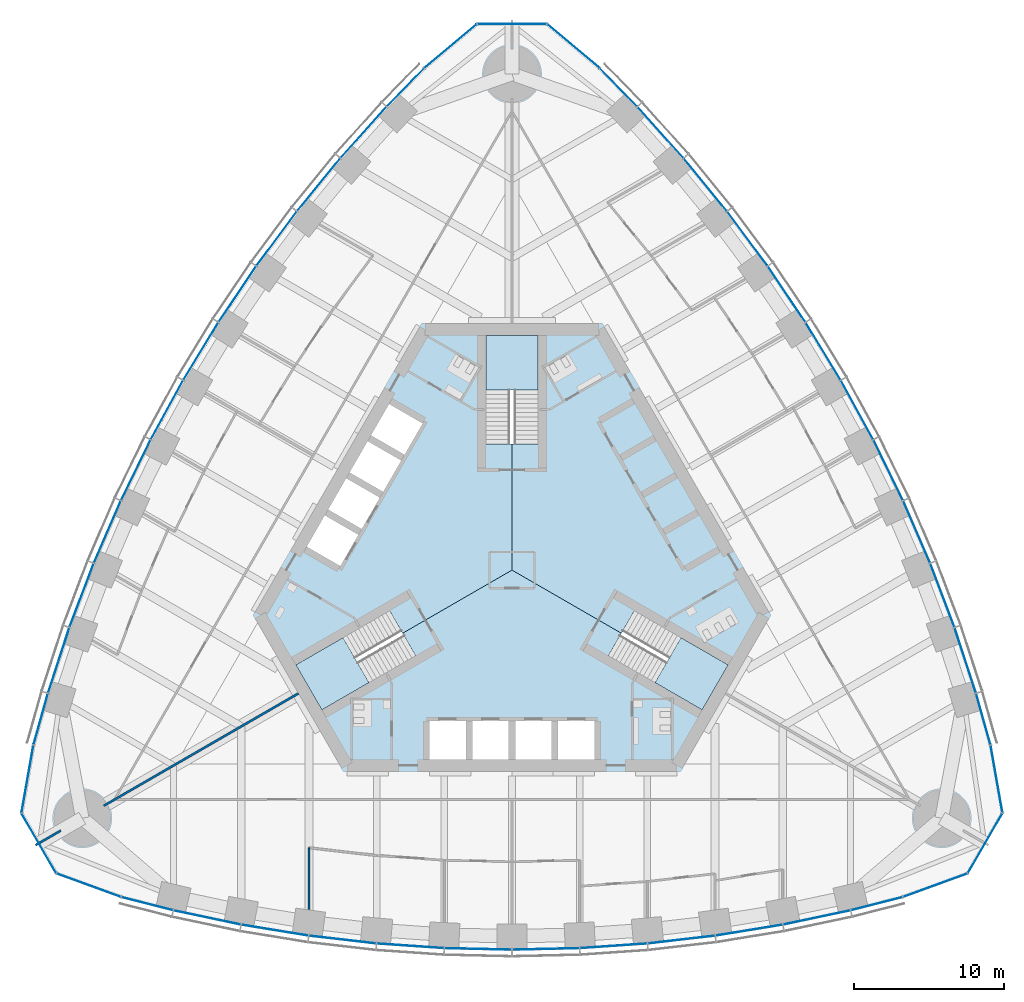
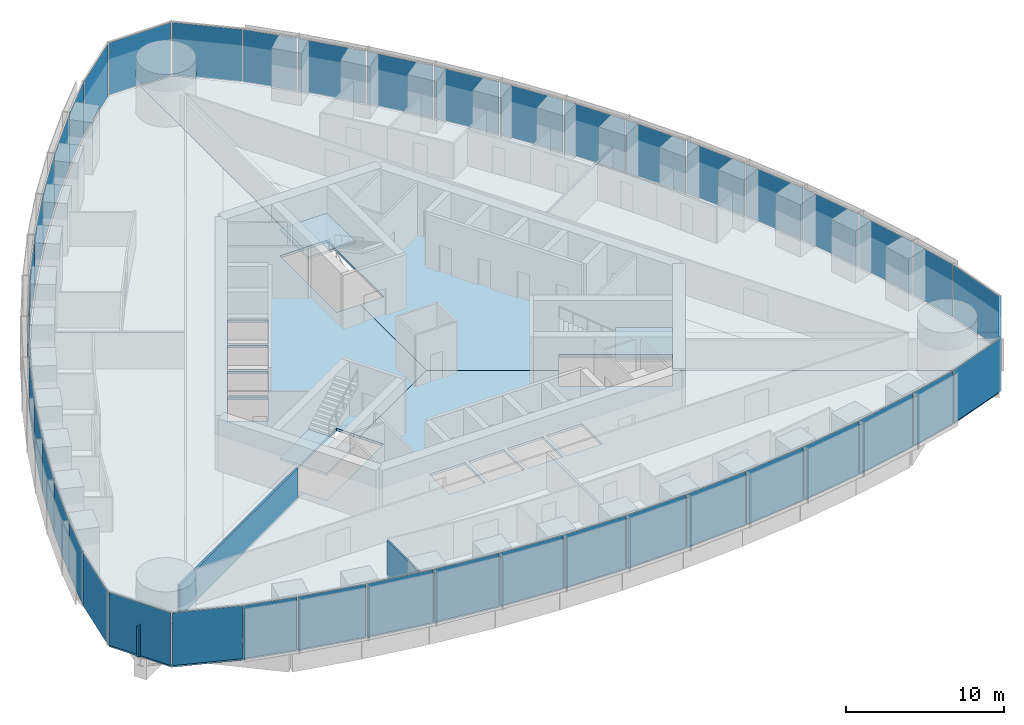
# One storey, part 10 of 19: 45 plates, 6 slabs, 3 walls, 9 elements without a shape of their own.
"""IFC4 building model written with IfcOpenShell, lengths in metres."""

from ifc_helpers import new_model, si_unit, direction, frame, frame_2d, origin, origin_2d, place, context, subcontext, project, spatial, polyline, rectangle, outline, extrude, material, layer, layer_set, type_object, element, aggregate, save


model = new_model("IFC4")

# Units and contexts
model_context = context("Model", 3, precision=1e-05, world=origin(), true_north=direction((0.0, 1.0)))
body_context = subcontext(model_context, "Body", "Model", "MODEL_VIEW")
ifc_project = project(units=[si_unit("LENGTHUNIT", "METRE"), si_unit("AREAUNIT", "SQUARE_METRE"), si_unit("VOLUMEUNIT", "CUBIC_METRE"), si_unit("PLANEANGLEUNIT", "RADIAN"), si_unit("MASSUNIT", "GRAM", prefix="KILO")], contexts=[model_context])

# Site, building, storey
site_placement = place(None, origin())
site = spatial("IfcSite", under=ifc_project, at=site_placement, CompositionType="ELEMENT")
building_placement = place(site_placement, origin())
building = spatial("IfcBuilding", under=site, at=building_placement, Name="Trefoil Bronze Tower", CompositionType="ELEMENT")
storey_placement = place(building_placement, frame((0.0, 0.0, 193.89990234375)))
storey = spatial("IfcBuildingStorey", under=building, at=storey_placement, Name="L44", CompositionType="ELEMENT", Elevation=193.89990234375)

# Curtain wall, plates
ifc_material_1 = material(Name="Tinted solar-control glass", Category="glass")
curtain_wall_type_1 = type_object("IfcCurtainWallType", Name="Bronze office curtain wall", PredefinedType="USERDEFINED", material=ifc_material_1)
curtain_wall_1_placement = place(storey_placement, origin())
curtain_wall_1 = element("IfcCurtainWall", 1, at=curtain_wall_1_placement, inside=storey, type_object=curtain_wall_type_1, Name="CW-A L44 F1", ObjectType="CURTAIN WALL", PredefinedType="USERDEFINED")
ifc_material_2 = material(Name="Tinted solar-control glass", Category="glass")
ifc_layer_1 = layer(ifc_material_2, 0.030029296875)
ifc_layer_set_1 = layer_set([ifc_layer_1], Name="Bronze office curtain wall glass panel")
plate_type_1 = type_object("IfcPlateType", Name="Bronze office curtain wall glass panel", PredefinedType="CURTAIN_PANEL", material=ifc_layer_set_1)
plate_1_placement = place(storey_placement, frame((-24.251220703125, -22.188232421875, 0.0), z_axis=(0.0, 0.0, 1.0), x_axis=(0.968934035393, -0.247319297786, 0.0)))
plate_1 = element("IfcPlate", 2, at=plate_1_placement, type_object=plate_type_1, Name="CW-A L44 F1 panel 1", PredefinedType="CURTAIN_PANEL", context=body_context, shape_type="SweptSolid", body=[
    extrude(rectangle(XDim=3.483642578125, YDim=0.030029296875, at=origin_2d()), origin(), (0.0, 0.0, 1.0), 4.080078125),
])
plate_2_placement = place(storey_placement, frame((-20.270751953125, -23.105224609375, 0.0), z_axis=(0.0, 0.0, 1.0), x_axis=(0.978394335897, -0.20674748725, 0.0)))
plate_2 = element("IfcPlate", 3, at=plate_2_placement, type_object=plate_type_1, Name="CW-A L44 F1 panel 2", PredefinedType="CURTAIN_PANEL", context=body_context, shape_type="SweptSolid", body=[
    extrude(rectangle(XDim=4.519287109375, YDim=0.030029296875, at=origin_2d()), origin(), (0.0, 0.0, 1.0), 4.080078125),
])
plate_3_placement = place(storey_placement, frame((-15.76611328125, -23.9482421875, 0.0), z_axis=(0.0, 0.0, 1.0), x_axis=(0.986986549528, -0.160802832848, 0.0)))
plate_3 = element("IfcPlate", 4, at=plate_3_placement, type_object=plate_type_1, Name="CW-A L44 F1 panel 3", PredefinedType="CURTAIN_PANEL", context=body_context, shape_type="SweptSolid", body=[
    extrude(rectangle(XDim=4.479248046875, YDim=0.030029296875, at=origin_2d()), origin(), (0.0, 0.0, 1.0), 4.080078125),
])
plate_4_placement = place(storey_placement, frame((-11.261474609375, -24.57568359375, 0.0), z_axis=(0.0, 0.0, 1.0), x_axis=(0.993381831741, -0.114858767043, 0.0)))
plate_4 = element("IfcPlate", 5, at=plate_4_placement, type_object=plate_type_1, Name="CW-A L44 F1 panel 4", PredefinedType="CURTAIN_PANEL", context=body_context, shape_type="SweptSolid", body=[
    extrude(rectangle(XDim=4.449951171875, YDim=0.030029296875, at=origin_2d()), origin(), (0.0, 0.0, 1.0), 4.080078125),
])
plate_5_placement = place(storey_placement, frame((-6.7568359375, -24.991455078125, 0.0), z_axis=(0.0, 0.0, 1.0), x_axis=(0.99762252804, -0.068915103905, 0.0)))
plate_5 = element("IfcPlate", 6, at=plate_5_placement, type_object=plate_type_1, Name="CW-A L44 F1 panel 5", PredefinedType="CURTAIN_PANEL", context=body_context, shape_type="SweptSolid", body=[
    extrude(rectangle(XDim=4.4306640625, YDim=0.030029296875, at=origin_2d()), origin(), (0.0, 0.0, 1.0), 4.080078125),
])
plate_6_placement = place(storey_placement, frame((-2.252197265625, -25.198974609375, 0.0), z_axis=(0.0, 0.0, 1.0), x_axis=(0.999736116243, -0.022971675577, 0.0)))
plate_6 = element("IfcPlate", 7, at=plate_6_placement, type_object=plate_type_1, Name="CW-A L44 F1 panel 6", PredefinedType="CURTAIN_PANEL", context=body_context, shape_type="SweptSolid", body=[
    extrude(rectangle(XDim=4.421142578125, YDim=0.030029296875, at=origin_2d()), origin(), (0.0, 0.0, 1.0), 4.080078125),
])
plate_7_placement = place(storey_placement, frame((2.252197265625, -25.198974609375, 0.0), z_axis=(0.0, 0.0, 1.0), x_axis=(0.999736116243, 0.022971675577, 0.0)))
plate_7 = element("IfcPlate", 8, at=plate_7_placement, type_object=plate_type_1, Name="CW-A L44 F1 panel 7", PredefinedType="CURTAIN_PANEL", context=body_context, shape_type="SweptSolid", body=[
    extrude(rectangle(XDim=4.421142578125, YDim=0.030029296875, at=origin_2d()), origin(), (0.0, 0.0, 1.0), 4.080078125),
])
plate_8_placement = place(storey_placement, frame((6.7568359375, -24.991455078125, 0.0), z_axis=(0.0, 0.0, 1.0), x_axis=(0.99762252804, 0.068915103905, 0.0)))
plate_8 = element("IfcPlate", 9, at=plate_8_placement, type_object=plate_type_1, Name="CW-A L44 F1 panel 8", PredefinedType="CURTAIN_PANEL", context=body_context, shape_type="SweptSolid", body=[
    extrude(rectangle(XDim=4.4306640625, YDim=0.030029296875, at=origin_2d()), origin(), (0.0, 0.0, 1.0), 4.080078125),
])
plate_9_placement = place(storey_placement, frame((11.261474609375, -24.57568359375, 0.0), z_axis=(0.0, 0.0, 1.0), x_axis=(0.993381831741, 0.114858767043, 0.0)))
plate_9 = element("IfcPlate", 10, at=plate_9_placement, type_object=plate_type_1, Name="CW-A L44 F1 panel 9", PredefinedType="CURTAIN_PANEL", context=body_context, shape_type="SweptSolid", body=[
    extrude(rectangle(XDim=4.449951171875, YDim=0.030029296875, at=origin_2d()), origin(), (0.0, 0.0, 1.0), 4.080078125),
])
plate_10_placement = place(storey_placement, frame((15.76611328125, -23.9482421875, 0.0), z_axis=(0.0, 0.0, 1.0), x_axis=(0.986986549528, 0.160802832848, 0.0)))
plate_10 = element("IfcPlate", 11, at=plate_10_placement, type_object=plate_type_1, Name="CW-A L44 F1 panel 10", PredefinedType="CURTAIN_PANEL", context=body_context, shape_type="SweptSolid", body=[
    extrude(rectangle(XDim=4.479248046875, YDim=0.030029296875, at=origin_2d()), origin(), (0.0, 0.0, 1.0), 4.080078125),
])
plate_11_placement = place(storey_placement, frame((20.270751953125, -23.105224609375, 0.0), z_axis=(0.0, 0.0, 1.0), x_axis=(0.978394335897, 0.20674748725, 0.0)))
plate_11 = element("IfcPlate", 12, at=plate_11_placement, type_object=plate_type_1, Name="CW-A L44 F1 panel 11", PredefinedType="CURTAIN_PANEL", context=body_context, shape_type="SweptSolid", body=[
    extrude(rectangle(XDim=4.519287109375, YDim=0.030029296875, at=origin_2d()), origin(), (0.0, 0.0, 1.0), 4.080078125),
])
plate_12_placement = place(storey_placement, frame((24.251220703125, -22.188232421875, 0.0), z_axis=(0.0, 0.0, 1.0), x_axis=(0.968934035393, 0.247319297786, 0.0)))
plate_12 = element("IfcPlate", 13, at=plate_12_placement, type_object=plate_type_1, Name="CW-A L44 F1 panel 12", PredefinedType="CURTAIN_PANEL", context=body_context, shape_type="SweptSolid", body=[
    extrude(rectangle(XDim=3.483642578125, YDim=0.030029296875, at=origin_2d()), origin(), (0.0, 0.0, 1.0), 4.080078125),
])
aggregate(curtain_wall_1, [plate_1, plate_2, plate_3, plate_4, plate_5, plate_6, plate_7, plate_8, plate_9, plate_10, plate_11, plate_12])

curtain_wall_2_placement = place(storey_placement, origin())
curtain_wall_2 = element("IfcCurtainWall", 14, at=curtain_wall_2_placement, inside=storey, type_object=curtain_wall_type_1, Name="CW-A L44 F2", ObjectType="CURTAIN WALL", PredefinedType="USERDEFINED")
plate_13_placement = place(storey_placement, frame((31.341064453125, -9.907958984375, 0.0), z_axis=(0.0, 0.0, 1.0), x_axis=(-0.270282222968, 0.962781138134, 0.0)))
plate_13 = element("IfcPlate", 15, at=plate_13_placement, type_object=plate_type_1, Name="CW-A L44 F2 panel 1", PredefinedType="CURTAIN_PANEL", context=body_context, shape_type="SweptSolid", body=[
    extrude(rectangle(XDim=3.483642578125, YDim=0.030029296875, at=origin_2d()), origin(), (0.0, 0.0, 1.0), 4.080078125),
])
plate_14_placement = place(storey_placement, frame((30.14501953125, -6.002197265625, 0.0), z_axis=(0.0, 0.0, 1.0), x_axis=(-0.310148591821, 0.950688093431, 0.0)))
plate_14 = element("IfcPlate", 16, at=plate_14_placement, type_object=plate_type_1, Name="CW-A L44 F2 panel 2", PredefinedType="CURTAIN_PANEL", context=body_context, shape_type="SweptSolid", body=[
    extrude(rectangle(XDim=4.519287109375, YDim=0.030029296875, at=origin_2d()), origin(), (0.0, 0.0, 1.0), 4.080078125),
])
plate_15_placement = place(storey_placement, frame((28.622802734375, -1.6796875, 0.0), z_axis=(0.0, 0.0, 1.0), x_axis=(-0.354233936517, 0.935156841508, 0.0)))
plate_15 = element("IfcPlate", 17, at=plate_15_placement, type_object=plate_type_1, Name="CW-A L44 F2 panel 3", PredefinedType="CURTAIN_PANEL", context=body_context, shape_type="SweptSolid", body=[
    extrude(rectangle(XDim=4.479248046875, YDim=0.030029296875, at=origin_2d()), origin(), (0.0, 0.0, 1.0), 4.080078125),
])
plate_16_placement = place(storey_placement, frame((26.913818359375, 2.53515625, 0.0), z_axis=(0.0, 0.0, 1.0), x_axis=(-0.397220305764, 0.917723285467, 0.0)))
plate_16 = element("IfcPlate", 18, at=plate_16_placement, type_object=plate_type_1, Name="CW-A L44 F2 panel 4", PredefinedType="CURTAIN_PANEL", context=body_context, shape_type="SweptSolid", body=[
    extrude(rectangle(XDim=4.449951171875, YDim=0.030029296875, at=origin_2d()), origin(), (0.0, 0.0, 1.0), 4.080078125),
])
plate_17_placement = place(storey_placement, frame((25.021728515625, 6.64404296875, 0.0), z_axis=(0.0, 0.0, 1.0), x_axis=(-0.439129033334, 0.898424004623, 0.0)))
plate_17 = element("IfcPlate", 19, at=plate_17_placement, type_object=plate_type_1, Name="CW-A L44 F2 panel 5", PredefinedType="CURTAIN_PANEL", context=body_context, shape_type="SweptSolid", body=[
    extrude(rectangle(XDim=4.4306640625, YDim=0.030029296875, at=origin_2d()), origin(), (0.0, 0.0, 1.0), 4.080078125),
])
plate_18_placement = place(storey_placement, frame((22.948974609375, 10.64892578125, 0.0), z_axis=(0.0, 0.0, 1.0), x_axis=(-0.479974003504, 0.877282711536, 0.0)))
plate_18 = element("IfcPlate", 20, at=plate_18_placement, type_object=plate_type_1, Name="CW-A L44 F2 panel 6", PredefinedType="CURTAIN_PANEL", context=body_context, shape_type="SweptSolid", body=[
    extrude(rectangle(XDim=4.421142578125, YDim=0.030029296875, at=origin_2d()), origin(), (0.0, 0.0, 1.0), 4.080078125),
])
plate_19_placement = place(storey_placement, frame((20.69677734375, 14.550048828125, 0.0), z_axis=(0.0, 0.0, 1.0), x_axis=(-0.519762112739, 0.854311035959, 0.0)))
plate_19 = element("IfcPlate", 21, at=plate_19_placement, type_object=plate_type_1, Name="CW-A L44 F2 panel 7", PredefinedType="CURTAIN_PANEL", context=body_context, shape_type="SweptSolid", body=[
    extrude(rectangle(XDim=4.421142578125, YDim=0.030029296875, at=origin_2d()), origin(), (0.0, 0.0, 1.0), 4.080078125),
])
plate_20_placement = place(storey_placement, frame((18.264892578125, 18.347412109375, 0.0), z_axis=(0.0, 0.0, 1.0), x_axis=(-0.558493494706, 0.829508900718, 0.0)))
plate_20 = element("IfcPlate", 22, at=plate_20_placement, type_object=plate_type_1, Name="CW-A L44 F2 panel 8", PredefinedType="CURTAIN_PANEL", context=body_context, shape_type="SweptSolid", body=[
    extrude(rectangle(XDim=4.4306640625, YDim=0.030029296875, at=origin_2d()), origin(), (0.0, 0.0, 1.0), 4.080078125),
])
plate_21_placement = place(storey_placement, frame((15.65234375, 22.04052734375, 0.0), z_axis=(0.0, 0.0, 1.0), x_axis=(-0.596161525977, 0.802864518425, 0.0)))
plate_21 = element("IfcPlate", 23, at=plate_21_placement, type_object=plate_type_1, Name="CW-A L44 F2 panel 9", PredefinedType="CURTAIN_PANEL", context=body_context, shape_type="SweptSolid", body=[
    extrude(rectangle(XDim=4.449951171875, YDim=0.030029296875, at=origin_2d()), origin(), (0.0, 0.0, 1.0), 4.080078125),
])
plate_22_placement = place(storey_placement, frame((12.856689453125, 25.6279296875, 0.0), z_axis=(0.0, 0.0, 1.0), x_axis=(-0.63275261301, 0.774354008661, 0.0)))
plate_22 = element("IfcPlate", 24, at=plate_22_placement, type_object=plate_type_1, Name="CW-A L44 F2 panel 10", PredefinedType="CURTAIN_PANEL", context=body_context, shape_type="SweptSolid", body=[
    extrude(rectangle(XDim=4.479248046875, YDim=0.030029296875, at=origin_2d()), origin(), (0.0, 0.0, 1.0), 4.080078125),
])
plate_23_placement = place(storey_placement, frame((9.87451171875, 29.107666015625, 0.0), z_axis=(0.0, 0.0, 1.0), x_axis=(-0.668245744076, 0.743940606181, 0.0)))
plate_23 = element("IfcPlate", 25, at=plate_23_placement, type_object=plate_type_1, Name="CW-A L44 F2 panel 11", PredefinedType="CURTAIN_PANEL", context=body_context, shape_type="SweptSolid", body=[
    extrude(rectangle(XDim=4.519287109375, YDim=0.030029296875, at=origin_2d()), origin(), (0.0, 0.0, 1.0), 4.080078125),
])
plate_24_placement = place(storey_placement, frame((7.08984375, 32.09619140625, 0.0), z_axis=(0.0, 0.0, 1.0), x_axis=(-0.698651812425, 0.715461840349, 0.0)))
plate_24 = element("IfcPlate", 26, at=plate_24_placement, type_object=plate_type_1, Name="CW-A L44 F2 panel 12", PredefinedType="CURTAIN_PANEL", context=body_context, shape_type="SweptSolid", body=[
    extrude(rectangle(XDim=3.483642578125, YDim=0.030029296875, at=origin_2d()), origin(), (0.0, 0.0, 1.0), 4.080078125),
])
aggregate(curtain_wall_2, [plate_13, plate_14, plate_15, plate_16, plate_17, plate_18, plate_19, plate_20, plate_21, plate_22, plate_23, plate_24])

curtain_wall_3_placement = place(storey_placement, origin())
curtain_wall_3 = element("IfcCurtainWall", 27, at=curtain_wall_3_placement, inside=storey, type_object=curtain_wall_type_1, Name="CW-A L44 F3", ObjectType="CURTAIN WALL", PredefinedType="USERDEFINED")
plate_25_placement = place(storey_placement, frame((-7.08984375, 32.09619140625, 0.0), z_axis=(0.0, 0.0, 1.0), x_axis=(-0.698651812425, -0.715461840349, 0.0)))
plate_25 = element("IfcPlate", 28, at=plate_25_placement, type_object=plate_type_1, Name="CW-A L44 F3 panel 1", PredefinedType="CURTAIN_PANEL", context=body_context, shape_type="SweptSolid", body=[
    extrude(rectangle(XDim=3.483642578125, YDim=0.030029296875, at=origin_2d()), origin(), (0.0, 0.0, 1.0), 4.080078125),
])
plate_26_placement = place(storey_placement, frame((-9.87451171875, 29.107666015625, 0.0), z_axis=(0.0, 0.0, 1.0), x_axis=(-0.668245744076, -0.743940606181, 0.0)))
plate_26 = element("IfcPlate", 29, at=plate_26_placement, type_object=plate_type_1, Name="CW-A L44 F3 panel 2", PredefinedType="CURTAIN_PANEL", context=body_context, shape_type="SweptSolid", body=[
    extrude(rectangle(XDim=4.519287109375, YDim=0.030029296875, at=origin_2d()), origin(), (0.0, 0.0, 1.0), 4.080078125),
])
plate_27_placement = place(storey_placement, frame((-12.856689453125, 25.6279296875, 0.0), z_axis=(0.0, 0.0, 1.0), x_axis=(-0.63275261301, -0.774354008661, 0.0)))
plate_27 = element("IfcPlate", 30, at=plate_27_placement, type_object=plate_type_1, Name="CW-A L44 F3 panel 3", PredefinedType="CURTAIN_PANEL", context=body_context, shape_type="SweptSolid", body=[
    extrude(rectangle(XDim=4.479248046875, YDim=0.030029296875, at=origin_2d()), origin(), (0.0, 0.0, 1.0), 4.080078125),
])
plate_28_placement = place(storey_placement, frame((-15.65234375, 22.04052734375, 0.0), z_axis=(0.0, 0.0, 1.0), x_axis=(-0.596161525977, -0.802864518425, 0.0)))
plate_28 = element("IfcPlate", 31, at=plate_28_placement, type_object=plate_type_1, Name="CW-A L44 F3 panel 4", PredefinedType="CURTAIN_PANEL", context=body_context, shape_type="SweptSolid", body=[
    extrude(rectangle(XDim=4.449951171875, YDim=0.030029296875, at=origin_2d()), origin(), (0.0, 0.0, 1.0), 4.080078125),
])
plate_29_placement = place(storey_placement, frame((-18.264892578125, 18.347412109375, 0.0), z_axis=(0.0, 0.0, 1.0), x_axis=(-0.558493494706, -0.829508900718, 0.0)))
plate_29 = element("IfcPlate", 32, at=plate_29_placement, type_object=plate_type_1, Name="CW-A L44 F3 panel 5", PredefinedType="CURTAIN_PANEL", context=body_context, shape_type="SweptSolid", body=[
    extrude(rectangle(XDim=4.4306640625, YDim=0.030029296875, at=origin_2d()), origin(), (0.0, 0.0, 1.0), 4.080078125),
])
plate_30_placement = place(storey_placement, frame((-20.69677734375, 14.550048828125, 0.0), z_axis=(0.0, 0.0, 1.0), x_axis=(-0.519762112739, -0.854311035959, 0.0)))
plate_30 = element("IfcPlate", 33, at=plate_30_placement, type_object=plate_type_1, Name="CW-A L44 F3 panel 6", PredefinedType="CURTAIN_PANEL", context=body_context, shape_type="SweptSolid", body=[
    extrude(rectangle(XDim=4.421142578125, YDim=0.030029296875, at=origin_2d()), origin(), (0.0, 0.0, 1.0), 4.080078125),
])
plate_31_placement = place(storey_placement, frame((-22.948974609375, 10.64892578125, 0.0), z_axis=(0.0, 0.0, 1.0), x_axis=(-0.479974003504, -0.877282711536, 0.0)))
plate_31 = element("IfcPlate", 34, at=plate_31_placement, type_object=plate_type_1, Name="CW-A L44 F3 panel 7", PredefinedType="CURTAIN_PANEL", context=body_context, shape_type="SweptSolid", body=[
    extrude(rectangle(XDim=4.421142578125, YDim=0.030029296875, at=origin_2d()), origin(), (0.0, 0.0, 1.0), 4.080078125),
])
plate_32_placement = place(storey_placement, frame((-25.021728515625, 6.64404296875, 0.0), z_axis=(0.0, 0.0, 1.0), x_axis=(-0.439129033334, -0.898424004623, 0.0)))
plate_32 = element("IfcPlate", 35, at=plate_32_placement, type_object=plate_type_1, Name="CW-A L44 F3 panel 8", PredefinedType="CURTAIN_PANEL", context=body_context, shape_type="SweptSolid", body=[
    extrude(rectangle(XDim=4.4306640625, YDim=0.030029296875, at=origin_2d()), origin(), (0.0, 0.0, 1.0), 4.080078125),
])
plate_33_placement = place(storey_placement, frame((-26.913818359375, 2.53515625, 0.0), z_axis=(0.0, 0.0, 1.0), x_axis=(-0.397220305764, -0.917723285467, 0.0)))
plate_33 = element("IfcPlate", 36, at=plate_33_placement, type_object=plate_type_1, Name="CW-A L44 F3 panel 9", PredefinedType="CURTAIN_PANEL", context=body_context, shape_type="SweptSolid", body=[
    extrude(rectangle(XDim=4.449951171875, YDim=0.030029296875, at=origin_2d()), origin(), (0.0, 0.0, 1.0), 4.080078125),
])
plate_34_placement = place(storey_placement, frame((-28.622802734375, -1.6796875, 0.0), z_axis=(0.0, 0.0, 1.0), x_axis=(-0.354233936517, -0.935156841508, 0.0)))
plate_34 = element("IfcPlate", 37, at=plate_34_placement, type_object=plate_type_1, Name="CW-A L44 F3 panel 10", PredefinedType="CURTAIN_PANEL", context=body_context, shape_type="SweptSolid", body=[
    extrude(rectangle(XDim=4.479248046875, YDim=0.030029296875, at=origin_2d()), origin(), (0.0, 0.0, 1.0), 4.080078125),
])
plate_35_placement = place(storey_placement, frame((-30.14501953125, -6.002197265625, 0.0), z_axis=(0.0, 0.0, 1.0), x_axis=(-0.310148591821, -0.950688093431, 0.0)))
plate_35 = element("IfcPlate", 38, at=plate_35_placement, type_object=plate_type_1, Name="CW-A L44 F3 panel 11", PredefinedType="CURTAIN_PANEL", context=body_context, shape_type="SweptSolid", body=[
    extrude(rectangle(XDim=4.519287109375, YDim=0.030029296875, at=origin_2d()), origin(), (0.0, 0.0, 1.0), 4.080078125),
])
plate_36_placement = place(storey_placement, frame((-31.341064453125, -9.907958984375, 0.0), z_axis=(0.0, 0.0, 1.0), x_axis=(-0.270282222968, -0.962781138134, 0.0)))
plate_36 = element("IfcPlate", 39, at=plate_36_placement, type_object=plate_type_1, Name="CW-A L44 F3 panel 12", PredefinedType="CURTAIN_PANEL", context=body_context, shape_type="SweptSolid", body=[
    extrude(rectangle(XDim=3.483642578125, YDim=0.030029296875, at=origin_2d()), origin(), (0.0, 0.0, 1.0), 4.080078125),
])
aggregate(curtain_wall_3, [plate_25, plate_26, plate_27, plate_28, plate_29, plate_30, plate_31, plate_32, plate_33, plate_34, plate_35, plate_36])

ifc_material_3 = material(Name="Tinted solar-control glass", Category="glass")
curtain_wall_type_2 = type_object("IfcCurtainWallType", Name="Bronze rounded corner curtain wall", PredefinedType="USERDEFINED", material=ifc_material_3)
curtain_wall_4_placement = place(storey_placement, origin())
curtain_wall_4 = element("IfcCurtainWall", 40, at=curtain_wall_4_placement, inside=storey, type_object=curtain_wall_type_2, Name="CW-B L44 K1", ObjectType="CURTAIN WALL", PredefinedType="USERDEFINED")
ifc_material_4 = material(Name="Tinted solar-control glass", Category="glass")
ifc_layer_2 = layer(ifc_material_4, 0.030029296875)
ifc_layer_set_2 = layer_set([ifc_layer_2], Name="Bronze rounded corner curtain wall glass panel")
plate_type_2 = type_object("IfcPlateType", Name="Bronze rounded corner curtain wall glass panel", PredefinedType="CURTAIN_PANEL", material=ifc_layer_set_2)
plate_37_placement = place(storey_placement, frame((28.1298828125, -20.96484375, 0.0), z_axis=(0.0, 0.0, 1.0), x_axis=(0.939692620786, 0.342020143326, 0.0)))
plate_37 = element("IfcPlate", 41, at=plate_37_placement, type_object=plate_type_2, Name="CW-B L44 K1 panel 1", PredefinedType="CURTAIN_PANEL", context=body_context, shape_type="SweptSolid", body=[
    extrude(rectangle(XDim=4.500244140625, YDim=0.030029296875, at=origin_2d()), origin(), (0.0, 0.0, 1.0), 4.080078125),
])
plate_38_placement = place(storey_placement, frame((31.46484375, -18.166259765625, 0.0), z_axis=(0.0, 0.0, 1.0), x_axis=(0.5, 0.866025403784, 0.0)))
plate_38 = element("IfcPlate", 42, at=plate_38_placement, type_object=plate_type_2, Name="CW-B L44 K1 panel 2", PredefinedType="CURTAIN_PANEL", context=body_context, shape_type="SweptSolid", body=[
    extrude(rectangle(XDim=4.500244140625, YDim=0.030029296875, at=origin_2d()), origin(), (0.0, 0.0, 1.0), 4.080078125),
])
plate_39_placement = place(storey_placement, frame((32.220947265625, -13.878662109375, 0.0), z_axis=(0.0, 0.0, 1.0), x_axis=(-0.173648177667, 0.984807753012, 0.0)))
plate_39 = element("IfcPlate", 43, at=plate_39_placement, type_object=plate_type_2, Name="CW-B L44 K1 panel 3", PredefinedType="CURTAIN_PANEL", context=body_context, shape_type="SweptSolid", body=[
    extrude(rectangle(XDim=4.500244140625, YDim=0.030029296875, at=origin_2d()), origin(), (0.0, 0.0, 1.0), 4.080078125),
])
aggregate(curtain_wall_4, [plate_37, plate_38, plate_39])

curtain_wall_5_placement = place(storey_placement, origin())
curtain_wall_5 = element("IfcCurtainWall", 44, at=curtain_wall_5_placement, inside=storey, type_object=curtain_wall_type_2, Name="CW-B L44 K2", ObjectType="CURTAIN WALL", PredefinedType="USERDEFINED")
plate_40_placement = place(storey_placement, frame((4.091064453125, 34.843505859375, 0.0), z_axis=(0.0, 0.0, 1.0), x_axis=(-0.766044443119, 0.642787609687, 0.0)))
plate_40 = element("IfcPlate", 45, at=plate_40_placement, type_object=plate_type_2, Name="CW-B L44 K2 panel 1", PredefinedType="CURTAIN_PANEL", context=body_context, shape_type="SweptSolid", body=[
    extrude(rectangle(XDim=4.500244140625, YDim=0.030029296875, at=origin_2d()), origin(), (0.0, 0.0, 1.0), 4.080078125),
])
plate_41_placement = place(storey_placement, frame((0.0, 36.33251953125, 0.0), z_axis=(0.0, 0.0, 1.0), x_axis=(-1.0, 0.0, 0.0)))
plate_41 = element("IfcPlate", 46, at=plate_41_placement, type_object=plate_type_2, Name="CW-B L44 K2 panel 2", PredefinedType="CURTAIN_PANEL", context=body_context, shape_type="SweptSolid", body=[
    extrude(rectangle(XDim=4.500244140625, YDim=0.030029296875, at=origin_2d()), origin(), (0.0, 0.0, 1.0), 4.080078125),
])
plate_42_placement = place(storey_placement, frame((-4.091064453125, 34.843505859375, 0.0), z_axis=(0.0, 0.0, 1.0), x_axis=(-0.766044443119, -0.642787609687, 0.0)))
plate_42 = element("IfcPlate", 47, at=plate_42_placement, type_object=plate_type_2, Name="CW-B L44 K2 panel 3", PredefinedType="CURTAIN_PANEL", context=body_context, shape_type="SweptSolid", body=[
    extrude(rectangle(XDim=4.500244140625, YDim=0.030029296875, at=origin_2d()), origin(), (0.0, 0.0, 1.0), 4.080078125),
])
aggregate(curtain_wall_5, [plate_40, plate_41, plate_42])

curtain_wall_6_placement = place(storey_placement, origin())
curtain_wall_6 = element("IfcCurtainWall", 48, at=curtain_wall_6_placement, inside=storey, type_object=curtain_wall_type_2, Name="CW-B L44 K3", ObjectType="CURTAIN WALL", PredefinedType="USERDEFINED")
plate_43_placement = place(storey_placement, frame((-32.220947265625, -13.878662109375, 0.0), z_axis=(0.0, 0.0, 1.0), x_axis=(-0.173648177667, -0.984807753012, 0.0)))
plate_43 = element("IfcPlate", 49, at=plate_43_placement, type_object=plate_type_2, Name="CW-B L44 K3 panel 1", PredefinedType="CURTAIN_PANEL", context=body_context, shape_type="SweptSolid", body=[
    extrude(rectangle(XDim=4.500244140625, YDim=0.030029296875, at=origin_2d()), origin(), (0.0, 0.0, 1.0), 4.080078125),
])
plate_44_placement = place(storey_placement, frame((-31.46484375, -18.166259765625, 0.0), z_axis=(0.0, 0.0, 1.0), x_axis=(0.5, -0.866025403784, 0.0)))
plate_44 = element("IfcPlate", 50, at=plate_44_placement, type_object=plate_type_2, Name="CW-B L44 K3 panel 2", PredefinedType="CURTAIN_PANEL", context=body_context, shape_type="SweptSolid", body=[
    extrude(rectangle(XDim=4.500244140625, YDim=0.030029296875, at=origin_2d()), origin(), (0.0, 0.0, 1.0), 4.080078125),
])
plate_45_placement = place(storey_placement, frame((-28.1298828125, -20.96484375, 0.0), z_axis=(0.0, 0.0, 1.0), x_axis=(0.939692620786, -0.342020143326, 0.0)))
plate_45 = element("IfcPlate", 51, at=plate_45_placement, type_object=plate_type_2, Name="CW-B L44 K3 panel 3", PredefinedType="CURTAIN_PANEL", context=body_context, shape_type="SweptSolid", body=[
    extrude(rectangle(XDim=4.500244140625, YDim=0.030029296875, at=origin_2d()), origin(), (0.0, 0.0, 1.0), 4.080078125),
])
aggregate(curtain_wall_6, [plate_43, plate_44, plate_45])

# Slabs
ifc_material_5 = material(Name="Concrete B30", Category="concrete")
ifc_layer_3 = layer(ifc_material_5, 0.199951171875)
ifc_layer_set_3 = layer_set([ifc_layer_3], Name="Floor slab 200")
slab_type_1 = type_object("IfcSlabType", Name="Floor slab 200", PredefinedType="FLOOR", material=ifc_layer_set_3)
slab_1_placement = place(storey_placement, frame((0.0, 0.0, -0.199951171875)))
element("IfcSlab", 52, at=slab_1_placement, inside=storey, type_object=slab_type_1, Name="Floor slab L44 face 1", PredefinedType="FLOOR", context=body_context, shape_type="SweptSolid", body=[
    extrude(outline(polyline([(18.0, -23.48291015625), (13.5, -24.216064453125), (9.0, -24.736328125), (4.5, -25.047119140625), (0.0, -25.150634765625), (-4.5, -25.047119140625), (-9.0, -24.736328125), (-13.5, -24.216064453125), (-18.0, -23.48291015625), (-22.5, -22.531982421875), (-25.952880859375, -21.650634765625), (-30.23828125, -20.0908203125), (-31.37841796875, -18.1162109375), (-13.510009765625, -7.800048828125), (-12.6474609375, -9.2939453125), (-6.412109375, -5.69384765625), (-7.274658203125, -4.199951171875), (0.0, 0.0), (7.274658203125, -4.199951171875), (6.412109375, -5.69384765625), (12.6474609375, -9.2939453125), (13.510009765625, -7.800048828125), (31.37841796875, -18.1162109375), (30.23828125, -20.0908203125), (25.952880859375, -21.650634765625), (22.5, -22.531982421875), (18.0, -23.48291015625)]), holes=[polyline([(-5.574951171875, -10.02490234375), (-2.97509765625, -10.02490234375), (-2.97509765625, -12.60009765625), (-5.574951171875, -12.60009765625), (-5.574951171875, -10.02490234375)]), polyline([(-2.72509765625, -10.02490234375), (-0.125, -10.02490234375), (-0.125, -12.60009765625), (-2.72509765625, -12.60009765625), (-2.72509765625, -10.02490234375)]), polyline([(0.125, -10.02490234375), (2.72509765625, -10.02490234375), (2.72509765625, -12.60009765625), (0.125, -12.60009765625), (0.125, -10.02490234375)]), polyline([(2.97509765625, -10.02490234375), (5.574951171875, -10.02490234375), (5.574951171875, -12.60009765625), (2.97509765625, -12.60009765625), (2.97509765625, -10.02490234375)])]), origin(), (0.0, 0.0, 1.0), 0.199951171875),
])
slab_2_placement = place(storey_placement, frame((0.0, 0.0, -0.199951171875)))
element("IfcSlab", 53, at=slab_2_placement, inside=storey, type_object=slab_type_1, Name="Floor slab L44 face 2", PredefinedType="FLOOR", context=body_context, shape_type="SweptSolid", body=[
    extrude(outline(polyline([(11.3369140625, 27.329833984375), (14.2216796875, 23.79931640625), (16.92236328125, 20.162353515625), (19.441650390625, 16.420654296875), (21.781005859375, 12.575439453125), (23.941650390625, 8.62646484375), (25.92236328125, 4.573974609375), (27.7216796875, 0.416748046875), (29.3369140625, -3.846923828125), (30.76318359375, -8.219482421875), (31.7265625, -11.650634765625), (32.518310546875, -16.1416015625), (31.37841796875, -18.1162109375), (13.510009765625, -7.800048828125), (14.37255859375, -6.30615234375), (8.13720703125, -2.7060546875), (7.274658203125, -4.199951171875), (0.0, 0.0), (0.0, 8.39990234375), (1.72509765625, 8.39990234375), (1.72509765625, 15.60009765625), (0.0, 15.60009765625), (0.0, 36.232666015625), (2.280029296875, 36.232666015625), (5.7734375, 33.30126953125), (8.26318359375, 30.75146484375), (11.3369140625, 27.329833984375)])), origin(), (0.0, 0.0, 1.0), 0.199951171875),
])
slab_3_placement = place(storey_placement, frame((0.0, 0.0, -0.199951171875)))
element("IfcSlab", 54, at=slab_3_placement, inside=storey, type_object=slab_type_1, Name="Floor slab L44 face 3", PredefinedType="FLOOR", context=body_context, shape_type="SweptSolid", body=[
    extrude(outline(polyline([(-29.3369140625, -3.846923828125), (-27.7216796875, 0.416748046875), (-25.92236328125, 4.573974609375), (-23.941650390625, 8.62646484375), (-21.781005859375, 12.575439453125), (-19.441650390625, 16.420654296875), (-16.92236328125, 20.162353515625), (-14.2216796875, 23.79931640625), (-11.3369140625, 27.329833984375), (-8.26318359375, 30.75146484375), (-5.7734375, 33.30126953125), (-2.280029296875, 36.232666015625), (0.0, 36.232666015625), (0.0, 15.60009765625), (-1.72509765625, 15.60009765625), (-1.72509765625, 8.39990234375), (0.0, 8.39990234375), (0.0, 0.0), (-7.274658203125, -4.199951171875), (-8.13720703125, -2.7060546875), (-14.37255859375, -6.30615234375), (-13.510009765625, -7.800048828125), (-31.37841796875, -18.1162109375), (-32.518310546875, -16.1416015625), (-31.7265625, -11.650634765625), (-30.76318359375, -8.219482421875), (-29.3369140625, -3.846923828125)]), holes=[polyline([(-5.894287109375, 9.840576171875), (-7.1943359375, 7.5888671875), (-9.42431640625, 8.87646484375), (-8.12451171875, 11.128173828125), (-5.894287109375, 9.840576171875)]), polyline([(-7.3193359375, 7.372314453125), (-8.619384765625, 5.120849609375), (-10.849365234375, 6.408203125), (-9.54931640625, 8.659912109375), (-7.3193359375, 7.372314453125)]), polyline([(-8.744384765625, 4.904296875), (-10.04443359375, 2.652587890625), (-12.2744140625, 3.940185546875), (-10.974365234375, 6.191650390625), (-8.744384765625, 4.904296875)]), polyline([(-10.16943359375, 2.43603515625), (-11.469482421875, 0.184326171875), (-13.699462890625, 1.471923828125), (-12.3994140625, 3.7236328125), (-10.16943359375, 2.43603515625)])]), origin(), (0.0, 0.0, 1.0), 0.199951171875),
])

# Stair, slab
ifc_material_6 = material(Name="Precast concrete B80", Category="concrete")
stair_type = type_object("IfcStairType", Name="Exit stair 26 risers", PredefinedType="HALF_TURN_STAIR", material=ifc_material_6)
stair_1_placement = place(storey_placement, origin())
stair_1 = element("IfcStair", 55, at=stair_1_placement, inside=storey, type_object=stair_type, Name="Stair ST1 L44", PredefinedType="HALF_TURN_STAIR")
ifc_material_7 = material(Name="Concrete B30", Category="concrete")
ifc_layer_4 = layer(ifc_material_7, 0.199951171875)
ifc_layer_set_4 = layer_set([ifc_layer_4], Name="Stair landing 200")
slab_type_2 = type_object("IfcSlabType", Name="Stair landing 200", PredefinedType="LANDING", material=ifc_layer_set_4)
slab_4_placement = place(storey_placement, frame((0.0, 0.0, 1.900146484375)))
slab_4 = element("IfcSlab", 56, at=slab_4_placement, type_object=slab_type_2, Name="ST1 landing 1", PredefinedType="LANDING", context=body_context, shape_type="SweptSolid", body=[
    extrude(outline(polyline([(9.512451171875, -7.48388671875), (12.6474609375, -9.2939453125), (14.37255859375, -6.30615234375), (11.237548828125, -4.49609375), (9.512451171875, -7.48388671875)])), origin(), (0.0, 0.0, 1.0), 0.199951171875),
])
aggregate(stair_1, [slab_4])

stair_2_placement = place(storey_placement, origin())
stair_2 = element("IfcStair", 57, at=stair_2_placement, inside=storey, type_object=stair_type, Name="Stair ST2 L44", PredefinedType="HALF_TURN_STAIR")
slab_5_placement = place(storey_placement, frame((0.0, 0.0, 1.900146484375)))
slab_5 = element("IfcSlab", 58, at=slab_5_placement, type_object=slab_type_2, Name="ST2 landing 1", PredefinedType="LANDING", context=body_context, shape_type="SweptSolid", body=[
    extrude(outline(polyline([(1.72509765625, 11.97998046875), (1.72509765625, 15.60009765625), (-1.72509765625, 15.60009765625), (-1.72509765625, 11.97998046875), (1.72509765625, 11.97998046875)])), origin(), (0.0, 0.0, 1.0), 0.199951171875),
])
aggregate(stair_2, [slab_5])

stair_3_placement = place(storey_placement, origin())
stair_3 = element("IfcStair", 59, at=stair_3_placement, inside=storey, type_object=stair_type, Name="Stair ST3 L44", PredefinedType="HALF_TURN_STAIR")
slab_6_placement = place(storey_placement, frame((0.0, 0.0, 1.900146484375)))
slab_6 = element("IfcSlab", 60, at=slab_6_placement, type_object=slab_type_2, Name="ST3 landing 1", PredefinedType="LANDING", context=body_context, shape_type="SweptSolid", body=[
    extrude(outline(polyline([(-11.237548828125, -4.49609375), (-14.37255859375, -6.30615234375), (-12.6474609375, -9.2939453125), (-9.512451171875, -7.48388671875), (-11.237548828125, -4.49609375)])), origin(), (0.0, 0.0, 1.0), 0.199951171875),
])
aggregate(stair_3, [slab_6])

# Walls
ifc_material_8 = material(Name="Glazed partition", Category="glass")
ifc_layer_5 = layer(ifc_material_8, 0.1201171875)
ifc_layer_set_5 = layer_set([ifc_layer_5], Name="Glazed partition 120")
wall_type_1 = type_object("IfcWallType", Name="Glazed partition 120", PredefinedType="PARTITIONING", material=ifc_layer_set_5)
wall_1_placement = place(storey_placement, frame((-13.5, -18.466064453125, 0.0), z_axis=(0.0, 0.0, 1.0), x_axis=(0.0, -1.0, 0.0)))
element("IfcWall", 61, at=wall_1_placement, inside=storey, type_object=wall_type_1, Name="Partition F1 L44", PredefinedType="PARTITIONING", context=body_context, shape_type="SweptSolid", body=[
    extrude(rectangle(XDim=4.1044921875, YDim=0.1201171875, at=frame_2d((2.05224609375, 0.0))), origin(), (0.0, 0.0, 1.0), 2.800048828125),
])
ifc_material_9 = material(Name="Gypsum board on steel studs", Category="steel")
ifc_layer_6 = layer(ifc_material_9, 0.14990234375)
ifc_layer_set_6 = layer_set([ifc_layer_6], Name="Party wall 150")
wall_type_2 = type_object("IfcWallType", Name="Party wall 150", PredefinedType="PARTITIONING", material=ifc_layer_set_6)
wall_2_placement = place(storey_placement, frame((-14.202880859375, -8.199951171875, 0.0), z_axis=(0.0, 0.0, 1.0), x_axis=(-0.866021600284, -0.500006587798, 0.0)))
element("IfcWall", 62, at=wall_2_placement, inside=storey, type_object=wall_type_2, Name="Party wall K3 L44", PredefinedType="PARTITIONING", context=body_context, shape_type="SweptSolid", body=[
    extrude(rectangle(XDim=14.949951171875, YDim=0.14990234375, at=frame_2d((7.47509765625, 0.0))), origin(), (0.0, 0.0, 1.0), 2.400146484375),
])
wall_3_placement = place(storey_placement, frame((-30.0078125, -17.324951171875, 0.0), z_axis=(0.0, 0.0, 1.0), x_axis=(-0.866013246922, -0.500021055713, 0.0)))
element("IfcWall", 63, at=wall_3_placement, inside=storey, type_object=wall_type_2, Name="Party wall K3 L44", PredefinedType="PARTITIONING", context=body_context, shape_type="SweptSolid", body=[
    extrude(rectangle(XDim=1.9345703125, YDim=0.14990234375, at=frame_2d((0.96728515625, 0.0))), origin(), (0.0, 0.0, 1.0), 2.400146484375),
])

save(model, "model.ifc")
